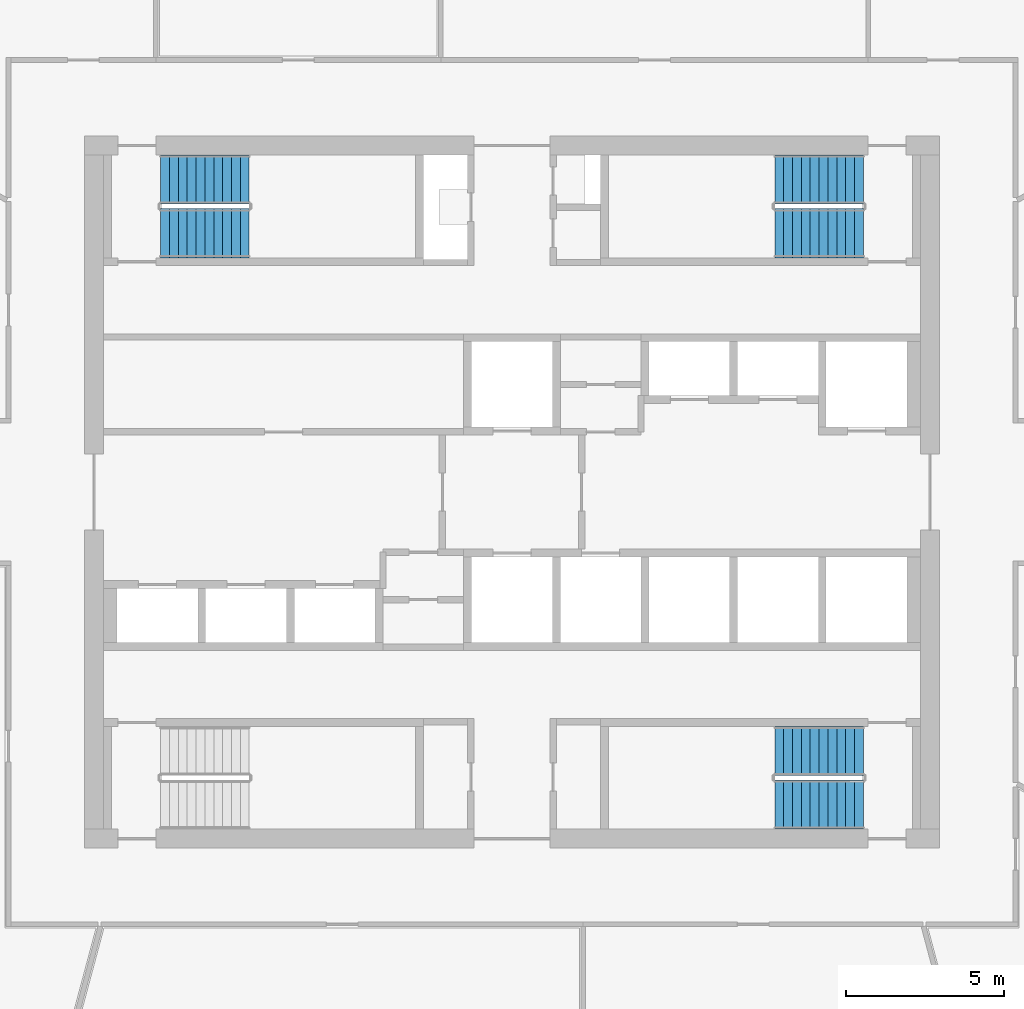
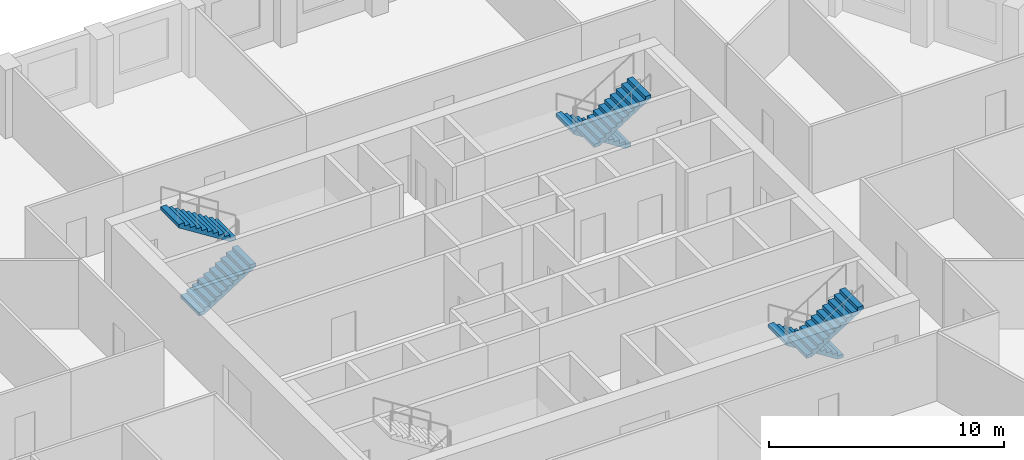
# One storey, part 7 of 11: 6 stair flights, 3 elements without a shape of their own.
"""IFC4 building model written with IfcOpenShell, lengths in metres."""

import ifcopenshell
import ifcopenshell.guid

model = None  # the IFC model being written
_history = None  # IfcOwnerHistory: only IFC2X3 demands one
_inside = {}  # id of a spatial element -> (the spatial element, [elements in it])
_under = {}  # id of a project, library or spatial element -> (it, [spatial elements below it])
_declared = {}  # id of a project -> (the project, [libraries it declares])
_typed = {}  # id of a type object -> (the type object, [elements of that type])
_made_of = {}  # id of a material, layer set ... -> (it, [elements and type objects made of it])


def new_model(schema):
    """Start an empty IFC model of exactly this schema.

    Asked for "IFC4X3", IfcOpenShell would pick the latest addendum, in which some entities
    have other attributes; the version numbers below select the first issue.
    IFC2X3 requires an IfcOwnerHistory on every rooted entity: one is made here for all.
    """
    global model, _history
    if schema == "IFC4X3":
        model = ifcopenshell.file(schema_version=(4, 3, 0, 0))
    else:
        model = ifcopenshell.file(schema=schema)
    _inside.clear()
    _under.clear()
    _declared.clear()
    _typed.clear()
    _made_of.clear()
    _history = None
    if model.schema == "IFC2X3":
        org = make("IfcOrganization", Name="unknown")
        user = make(
            "IfcPersonAndOrganization",
            ThePerson=make("IfcPerson", FamilyName="unknown"),
            TheOrganization=org,
        )
        app = make(
            "IfcApplication",
            ApplicationDeveloper=org,
            Version="unknown",
            ApplicationFullName="unknown",
            ApplicationIdentifier="unknown",
        )
        _history = make(
            "IfcOwnerHistory",
            OwningUser=user,
            OwningApplication=app,
            ChangeAction="ADDED",
            CreationDate=0,
        )
    return model


def make(cls, **values):
    """One entity of the class cls with the attributes given. An attribute that is None is left unset."""
    return model.create_entity(
        cls, **{name: value for name, value in values.items() if value is not None}
    )


def rooted(cls, **values):
    """An entity with a GlobalId (a new one), such as an element, a storey or a relation."""
    return make(cls, GlobalId=ifcopenshell.guid.new(), OwnerHistory=_history, **values)


def si_unit(unit_type, name, prefix=None):
    """IfcSIUnit, for example si_unit("LENGTHUNIT", "METRE", prefix="MILLI")."""
    return make("IfcSIUnit", UnitType=unit_type, Prefix=prefix, Name=name)


def assignment(units):
    """IfcUnitAssignment: the units of a project."""
    return None if units is None else make("IfcUnitAssignment", Units=units)


def point(xyz):
    """IfcCartesianPoint."""
    return None if xyz is None else make("IfcCartesianPoint", Coordinates=xyz)


def direction(xyz):
    """IfcDirection."""
    return None if xyz is None else make("IfcDirection", DirectionRatios=xyz)


def frame(location, z_axis=None, x_axis=None):
    """IfcAxis2Placement3D, a coordinate frame: its origin and axes. An axis left out is left unset."""
    return make(
        "IfcAxis2Placement3D",
        Location=point(location),
        Axis=direction(z_axis),
        RefDirection=direction(x_axis),
    )


def origin():
    """The frame at (0, 0, 0) with its axes left unset."""
    return frame((0.0, 0.0, 0.0))


def place(relative_to, where):
    """IfcLocalPlacement: puts the frame where relative to a parent placement (None: the world)."""
    return make(
        "IfcLocalPlacement", PlacementRelTo=relative_to, RelativePlacement=where
    )


def context(
    kind, dimensions, precision=None, world=None, true_north=None, identifier=None
):
    """IfcGeometricRepresentationContext, for example the 3D "Model" context."""
    return make(
        "IfcGeometricRepresentationContext",
        ContextIdentifier=identifier,
        ContextType=kind,
        CoordinateSpaceDimension=dimensions,
        Precision=precision,
        WorldCoordinateSystem=world,
        TrueNorth=true_north,
    )


def subcontext(parent, identifier, kind, view, scale=None):
    """IfcGeometricRepresentationSubContext, for example "Body" below "Model"."""
    return make(
        "IfcGeometricRepresentationSubContext",
        ContextIdentifier=identifier,
        ContextType=kind,
        ParentContext=parent,
        TargetScale=scale,
        TargetView=view,
    )


def project(units=None, contexts=None):
    """IfcProject with its units and contexts."""
    return rooted(
        "IfcProject",
        Name="project",
        RepresentationContexts=contexts,
        UnitsInContext=assignment(units),
    )


def spatial(cls, under=None, at=None, **own):
    """A site, building, storey or space (cls), placed at a placement, below another one or the project."""
    s = rooted(cls, ObjectPlacement=at, **own)
    if under is not None:
        _under.setdefault(under.id(), (under, []))[1].append(s)
    return s


def polyline(points):
    """IfcPolyline through the points."""
    return make("IfcPolyline", Points=[point(p) for p in points])


def outline(outer, holes=None, kind="AREA"):
    """IfcArbitraryClosedProfileDef: a profile drawn as a closed curve; with holes, ...WithVoids."""
    if holes is None:
        return make("IfcArbitraryClosedProfileDef", ProfileType=kind, OuterCurve=outer)
    return make(
        "IfcArbitraryProfileDefWithVoids",
        ProfileType=kind,
        OuterCurve=outer,
        InnerCurves=holes,
    )


def extrude(swept, where, along, depth):
    """IfcExtrudedAreaSolid: the profile swept, set in the frame where, extruded along a direction by depth."""
    return make(
        "IfcExtrudedAreaSolid",
        SweptArea=swept,
        Position=where,
        ExtrudedDirection=direction(along),
        Depth=depth,
    )


def shape(context_of_items, identifier, shape_type, items):
    """IfcShapeRepresentation: the items that make up one representation, for example the "Body"."""
    return make(
        "IfcShapeRepresentation",
        ContextOfItems=context_of_items,
        RepresentationIdentifier=identifier,
        RepresentationType=shape_type,
        Items=items,
    )


def material(Name=None, Category=None):
    """IfcMaterial."""
    return make("IfcMaterial", Name=Name, Category=Category)


def made_of(thing, what):
    """Note that an element or type object is made of a material, layer set ...; save() writes the relation."""
    if what is not None:
        _made_of.setdefault(what.id(), (what, []))[1].append(thing)
    return thing


def type_object(cls, material=None, **own):
    """A type object (cls), such as IfcWallType, which elements share."""
    return made_of(rooted(cls, **own), material)


def element(
    cls,
    number,
    at=None,
    inside=None,
    cuts=None,
    type_object=None,
    material=None,
    context=None,
    identifier="Body",
    shape_type=None,
    held_by="IfcProductDefinitionShape",
    body=None,
    shapes=None,
    **own,
):
    """One element of the class cls, such as IfcWall. Its Tag is "e" and its number.

    at: its placement. inside: the storey or other place that contains it. cuts: it is an
    opening in that element (IfcRelVoidsElement). A single representation is given by context,
    identifier, shape_type and body (its items); several are given by shapes. held_by: the class
    of the entity that holds the representations. save() writes the other relations.
    """
    e = rooted(cls, Tag="e%d" % number, ObjectPlacement=at, **own)
    if body is not None:
        shapes = [shape(context, identifier, shape_type, body)]
    if shapes is not None:
        e.Representation = make(held_by, Representations=shapes)
    if inside is not None:
        _inside.setdefault(inside.id(), (inside, []))[1].append(e)
    if cuts is not None:
        rooted(
            "IfcRelVoidsElement", RelatingBuildingElement=cuts, RelatedOpeningElement=e
        )
    if type_object is not None:
        _typed.setdefault(type_object.id(), (type_object, []))[1].append(e)
    return made_of(e, material)


def aggregate(whole, parts):
    """IfcRelAggregates: a whole, such as a stair, and the parts it consists of."""
    return rooted("IfcRelAggregates", RelatingObject=whole, RelatedObjects=parts)


def save(model, path):
    """Write the relations noted so far, then the file.

    IfcRelAggregates (storeys below a building ...), IfcRelContainedInSpatialStructure (elements
    in a storey), IfcRelDefinesByType, IfcRelAssociatesMaterial and IfcRelDeclares: one each for
    every whole, place, type object, material and project.
    """
    for whole, parts in _under.values():
        aggregate(whole, parts)
    for where, things in _inside.values():
        rooted(
            "IfcRelContainedInSpatialStructure",
            RelatedElements=things,
            RelatingStructure=where,
        )
    for kind, things in _typed.values():
        rooted("IfcRelDefinesByType", RelatedObjects=things, RelatingType=kind)
    for what, things in _made_of.values():
        rooted("IfcRelAssociatesMaterial", RelatedObjects=things, RelatingMaterial=what)
    for by, libraries in _declared.values():
        rooted("IfcRelDeclares", RelatingContext=by, RelatedDefinitions=libraries)
    model.write(path)


model = new_model("IFC4")

# Units and contexts
model_context = context("Model", 3, precision=1e-05, world=origin(), true_north=direction((0.0, 1.0)))
body_context = subcontext(model_context, "Body", "Model", "MODEL_VIEW")
ifc_project = project(units=[si_unit("LENGTHUNIT", "METRE"), si_unit("AREAUNIT", "SQUARE_METRE"), si_unit("VOLUMEUNIT", "CUBIC_METRE"), si_unit("PLANEANGLEUNIT", "RADIAN"), si_unit("MASSUNIT", "GRAM", prefix="KILO")], contexts=[model_context])

# Site, building, storey
site_placement = place(None, origin())
site = spatial("IfcSite", under=ifc_project, at=site_placement, CompositionType="ELEMENT")
building_placement = place(site_placement, origin())
building = spatial("IfcBuilding", under=site, at=building_placement, Name="Dhurran Vertical Campus", CompositionType="ELEMENT")
storey_placement = place(building_placement, frame((0.0, 0.0, 211.199951171875)))
storey = spatial("IfcBuildingStorey", under=building, at=storey_placement, Name="L52", CompositionType="ELEMENT", Elevation=211.199951171875)

# Stair, stair flights
ifc_material_1 = material(Name="Concrete C40/50", Category="concrete")
stair_type = type_object("IfcStairType", Name="co-ST-CORE", PredefinedType="HALF_TURN_STAIR", material=ifc_material_1)
stair_1_placement = place(storey_placement, origin())
stair_1 = element("IfcStair", 1, at=stair_1_placement, inside=storey, type_object=stair_type, Name="L52 Protected exit stair ST1", PredefinedType="HALF_TURN_STAIR")
ifc_material_2 = material(Name="Concrete C40/50", Category="concrete")
stair_flight_type = type_object("IfcStairFlightType", Name="co-SFL-RC", PredefinedType="STRAIGHT", material=ifc_material_2)
stair_flight_1_placement = place(storey_placement, frame((-11.10009765625, 8.175048828125, 0.0), z_axis=(0.0, 0.0, 1.0), x_axis=(1.0, 0.0, 0.0)))
stair_flight_1 = element("IfcStairFlight", 2, at=stair_flight_1_placement, type_object=stair_flight_type, Name="ST1 flight 1", NumberOfRisers=11, NumberOfTreads=10, PredefinedType="STRAIGHT", RiserHeight=0.177272727, TreadLength=0.28, context=body_context, shape_type="SweptSolid", body=[
    extrude(outline(polyline([(0.0, 0.0), (0.0, 0.17724609375), (0.280029296875, 0.17724609375), (0.280029296875, 0.3544921875), (0.56005859375, 0.3544921875), (0.56005859375, 0.53173828125), (0.840087890625, 0.53173828125), (0.840087890625, 0.708984375), (1.1201171875, 0.708984375), (1.1201171875, 0.886474609375), (1.39990234375, 0.886474609375), (1.39990234375, 1.063720703125), (1.679931640625, 1.063720703125), (1.679931640625, 1.240966796875), (1.9599609375, 1.240966796875), (1.9599609375, 1.418212890625), (2.239990234375, 1.418212890625), (2.239990234375, 1.595458984375), (2.52001953125, 1.595458984375), (2.52001953125, 1.772705078125), (2.800048828125, 1.772705078125), (2.800048828125, 1.949951171875), (2.800048828125, 1.59521484375), (0.2802734375, 0.0), (0.0, 0.0)])), frame((0.0, 0.77490234375, 0.0), z_axis=(0.0, -1.0, 0.0), x_axis=(1.0, 0.0, 0.0)), (0.0, 0.0, 1.0), 1.550048828125),
])
stair_flight_2_placement = place(storey_placement, frame((-8.300048828125, 9.875, 1.949951171875), z_axis=(0.0, 0.0, 1.0), x_axis=(-1.0, 0.0, 0.0)))
stair_flight_2 = element("IfcStairFlight", 3, at=stair_flight_2_placement, type_object=stair_flight_type, Name="ST1 flight 2", NumberOfRisers=11, NumberOfTreads=10, PredefinedType="STRAIGHT", RiserHeight=0.177272727, TreadLength=0.28, context=body_context, shape_type="SweptSolid", body=[
    extrude(outline(polyline([(0.0, 0.0), (0.0, 0.17724609375), (0.280029296875, 0.17724609375), (0.280029296875, 0.3544921875), (0.56005859375, 0.3544921875), (0.56005859375, 0.53173828125), (0.840087890625, 0.53173828125), (0.840087890625, 0.708984375), (1.1201171875, 0.708984375), (1.1201171875, 0.886474609375), (1.39990234375, 0.886474609375), (1.39990234375, 1.063720703125), (1.679931640625, 1.063720703125), (1.679931640625, 1.240966796875), (1.9599609375, 1.240966796875), (1.9599609375, 1.418212890625), (2.239990234375, 1.418212890625), (2.239990234375, 1.595458984375), (2.52001953125, 1.595458984375), (2.52001953125, 1.772705078125), (2.800048828125, 1.772705078125), (2.800048828125, 1.949951171875), (2.800048828125, 1.59521484375), (0.2802734375, 0.0), (0.0, 0.0)])), frame((0.0, 0.77490234375, 0.0), z_axis=(0.0, -1.0, 0.0), x_axis=(1.0, 0.0, 0.0)), (0.0, 0.0, 1.0), 1.550048828125),
])
aggregate(stair_1, [stair_flight_1, stair_flight_2])

stair_2_placement = place(storey_placement, origin())
stair_2 = element("IfcStair", 4, at=stair_2_placement, inside=storey, type_object=stair_type, Name="L52 Protected exit stair ST2", PredefinedType="HALF_TURN_STAIR")
stair_flight_3_placement = place(storey_placement, frame((11.10009765625, 9.875, 0.0), z_axis=(0.0, 0.0, 1.0), x_axis=(-1.0, 0.0, 0.0)))
stair_flight_3 = element("IfcStairFlight", 5, at=stair_flight_3_placement, type_object=stair_flight_type, Name="ST2 flight 1", NumberOfRisers=11, NumberOfTreads=10, PredefinedType="STRAIGHT", RiserHeight=0.177272727, TreadLength=0.28, context=body_context, shape_type="SweptSolid", body=[
    extrude(outline(polyline([(0.0, 0.0), (0.0, 0.17724609375), (0.280029296875, 0.17724609375), (0.280029296875, 0.3544921875), (0.56005859375, 0.3544921875), (0.56005859375, 0.53173828125), (0.840087890625, 0.53173828125), (0.840087890625, 0.708984375), (1.1201171875, 0.708984375), (1.1201171875, 0.886474609375), (1.39990234375, 0.886474609375), (1.39990234375, 1.063720703125), (1.679931640625, 1.063720703125), (1.679931640625, 1.240966796875), (1.9599609375, 1.240966796875), (1.9599609375, 1.418212890625), (2.239990234375, 1.418212890625), (2.239990234375, 1.595458984375), (2.52001953125, 1.595458984375), (2.52001953125, 1.772705078125), (2.800048828125, 1.772705078125), (2.800048828125, 1.949951171875), (2.800048828125, 1.59521484375), (0.2802734375, 0.0), (0.0, 0.0)])), frame((0.0, 0.77490234375, 0.0), z_axis=(0.0, -1.0, 0.0), x_axis=(1.0, 0.0, 0.0)), (0.0, 0.0, 1.0), 1.550048828125),
])
stair_flight_4_placement = place(storey_placement, frame((8.300048828125, 8.175048828125, 1.949951171875), z_axis=(0.0, 0.0, 1.0), x_axis=(1.0, 0.0, 0.0)))
stair_flight_4 = element("IfcStairFlight", 6, at=stair_flight_4_placement, type_object=stair_flight_type, Name="ST2 flight 2", NumberOfRisers=11, NumberOfTreads=10, PredefinedType="STRAIGHT", RiserHeight=0.177272727, TreadLength=0.28, context=body_context, shape_type="SweptSolid", body=[
    extrude(outline(polyline([(0.0, 0.0), (0.0, 0.17724609375), (0.280029296875, 0.17724609375), (0.280029296875, 0.3544921875), (0.56005859375, 0.3544921875), (0.56005859375, 0.53173828125), (0.840087890625, 0.53173828125), (0.840087890625, 0.708984375), (1.1201171875, 0.708984375), (1.1201171875, 0.886474609375), (1.39990234375, 0.886474609375), (1.39990234375, 1.063720703125), (1.679931640625, 1.063720703125), (1.679931640625, 1.240966796875), (1.9599609375, 1.240966796875), (1.9599609375, 1.418212890625), (2.239990234375, 1.418212890625), (2.239990234375, 1.595458984375), (2.52001953125, 1.595458984375), (2.52001953125, 1.772705078125), (2.800048828125, 1.772705078125), (2.800048828125, 1.949951171875), (2.800048828125, 1.59521484375), (0.2802734375, 0.0), (0.0, 0.0)])), frame((0.0, 0.77490234375, 0.0), z_axis=(0.0, -1.0, 0.0), x_axis=(1.0, 0.0, 0.0)), (0.0, 0.0, 1.0), 1.550048828125),
])
aggregate(stair_2, [stair_flight_3, stair_flight_4])

stair_3_placement = place(storey_placement, origin())
stair_3 = element("IfcStair", 7, at=stair_3_placement, inside=storey, type_object=stair_type, Name="L52 Protected exit stair ST4", PredefinedType="HALF_TURN_STAIR")
stair_flight_5_placement = place(storey_placement, frame((11.10009765625, -8.175048828125, 0.0), z_axis=(0.0, 0.0, 1.0), x_axis=(-1.0, 0.0, 0.0)))
stair_flight_5 = element("IfcStairFlight", 8, at=stair_flight_5_placement, type_object=stair_flight_type, Name="ST4 flight 1", NumberOfRisers=11, NumberOfTreads=10, PredefinedType="STRAIGHT", RiserHeight=0.177272727, TreadLength=0.28, context=body_context, shape_type="SweptSolid", body=[
    extrude(outline(polyline([(0.0, 0.0), (0.0, 0.17724609375), (0.280029296875, 0.17724609375), (0.280029296875, 0.3544921875), (0.56005859375, 0.3544921875), (0.56005859375, 0.53173828125), (0.840087890625, 0.53173828125), (0.840087890625, 0.708984375), (1.1201171875, 0.708984375), (1.1201171875, 0.886474609375), (1.39990234375, 0.886474609375), (1.39990234375, 1.063720703125), (1.679931640625, 1.063720703125), (1.679931640625, 1.240966796875), (1.9599609375, 1.240966796875), (1.9599609375, 1.418212890625), (2.239990234375, 1.418212890625), (2.239990234375, 1.595458984375), (2.52001953125, 1.595458984375), (2.52001953125, 1.772705078125), (2.800048828125, 1.772705078125), (2.800048828125, 1.949951171875), (2.800048828125, 1.59521484375), (0.2802734375, 0.0), (0.0, 0.0)])), frame((0.0, 0.77490234375, 0.0), z_axis=(0.0, -1.0, 0.0), x_axis=(1.0, 0.0, 0.0)), (0.0, 0.0, 1.0), 1.550048828125),
])
stair_flight_6_placement = place(storey_placement, frame((8.300048828125, -9.875, 1.949951171875), z_axis=(0.0, 0.0, 1.0), x_axis=(1.0, 0.0, 0.0)))
stair_flight_6 = element("IfcStairFlight", 9, at=stair_flight_6_placement, type_object=stair_flight_type, Name="ST4 flight 2", NumberOfRisers=11, NumberOfTreads=10, PredefinedType="STRAIGHT", RiserHeight=0.177272727, TreadLength=0.28, context=body_context, shape_type="SweptSolid", body=[
    extrude(outline(polyline([(0.0, 0.0), (0.0, 0.17724609375), (0.280029296875, 0.17724609375), (0.280029296875, 0.3544921875), (0.56005859375, 0.3544921875), (0.56005859375, 0.53173828125), (0.840087890625, 0.53173828125), (0.840087890625, 0.708984375), (1.1201171875, 0.708984375), (1.1201171875, 0.886474609375), (1.39990234375, 0.886474609375), (1.39990234375, 1.063720703125), (1.679931640625, 1.063720703125), (1.679931640625, 1.240966796875), (1.9599609375, 1.240966796875), (1.9599609375, 1.418212890625), (2.239990234375, 1.418212890625), (2.239990234375, 1.595458984375), (2.52001953125, 1.595458984375), (2.52001953125, 1.772705078125), (2.800048828125, 1.772705078125), (2.800048828125, 1.949951171875), (2.800048828125, 1.59521484375), (0.2802734375, 0.0), (0.0, 0.0)])), frame((0.0, 0.77490234375, 0.0), z_axis=(0.0, -1.0, 0.0), x_axis=(1.0, 0.0, 0.0)), (0.0, 0.0, 1.0), 1.550048828125),
])
aggregate(stair_3, [stair_flight_5, stair_flight_6])

save(model, "model.ifc")
